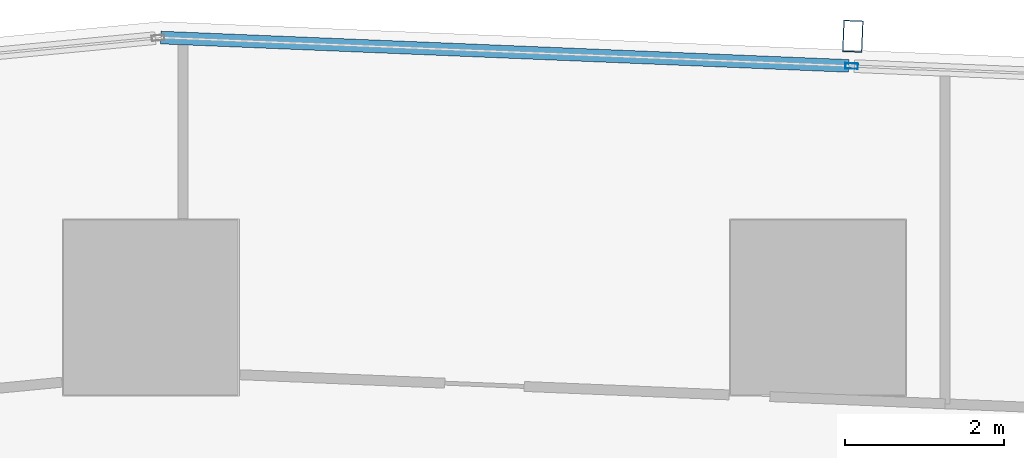
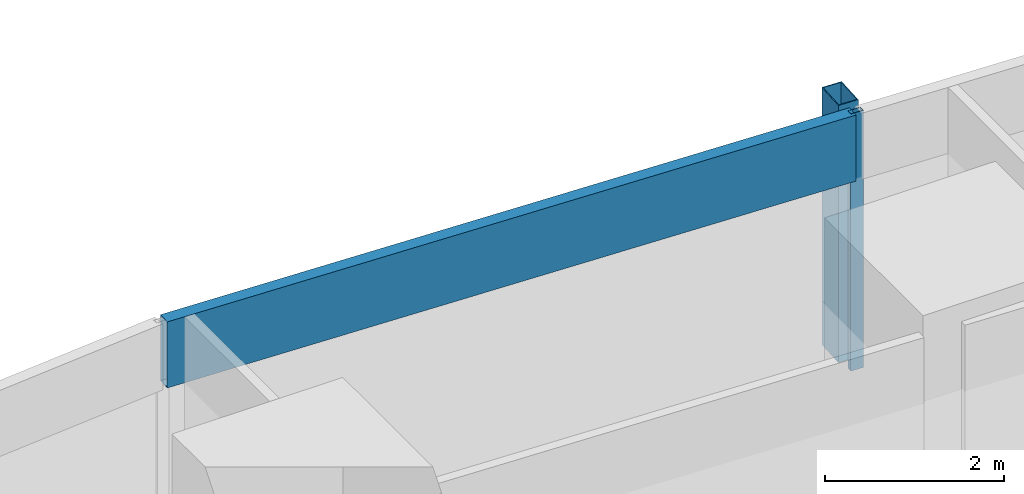
# One storey, part 18 of 42: 3 members, 1 element without a shape of its own.
"""IFC4 building model written with IfcOpenShell, lengths in metres."""

from ifc_helpers import new_model, si_unit, direction, frame, origin, origin_2d, place, context, subcontext, project, spatial, hollow_rectangle, extrude, material, material_profile, profile_set, type_object, element, aggregate, save


model = new_model("IFC4")

# Units and contexts
model_context = context("Model", 3, precision=1e-05, world=origin(), true_north=direction((0.0, 1.0)))
body_context = subcontext(model_context, "Body", "Model", "MODEL_VIEW")
ifc_project = project(units=[si_unit("LENGTHUNIT", "METRE"), si_unit("AREAUNIT", "SQUARE_METRE"), si_unit("VOLUMEUNIT", "CUBIC_METRE"), si_unit("PLANEANGLEUNIT", "RADIAN"), si_unit("MASSUNIT", "GRAM", prefix="KILO")], contexts=[model_context])

# Site, building, storey
site_placement = place(None, origin())
site = spatial("IfcSite", under=ifc_project, at=site_placement, CompositionType="ELEMENT")
building_placement = place(site_placement, origin())
building = spatial("IfcBuilding", under=site, at=building_placement, Name="Rekha Terrace Tower", CompositionType="ELEMENT")
storey_placement = place(building_placement, frame((0.0, 0.0, 40.39990234375)))
storey = spatial("IfcBuildingStorey", under=building, at=storey_placement, Name="L09", CompositionType="ELEMENT", Elevation=40.39990234375)

# Curtain wall, members
ifc_material_1 = material(Name="Aluminium framing", Category="aluminium")
curtain_wall_type = type_object("IfcCurtainWallType", Name="CW3 north unitised glazing", PredefinedType="USERDEFINED", material=ifc_material_1)
curtain_wall_placement = place(storey_placement, origin())
curtain_wall = element("IfcCurtainWall", 1, at=curtain_wall_placement, inside=storey, type_object=curtain_wall_type, Name="CW3 unitised curtain wall", ObjectType="UNITISED CURTAIN WALL", PredefinedType="USERDEFINED")
ifc_material_2 = material(Name="Steel S355 with fluorocarbon finish", Category="steel")
ifc_material_profile_1 = material_profile(ifc_material_2, hollow_rectangle(XDim=0.25, YDim=0.39990234375, WallThickness=0.012451171875, at=origin_2d()), Name="RHS400x250x12.5")
ifc_profile_set_1 = profile_set([ifc_material_profile_1], Name="Steel S355 with fluorocarbon finish")
member_type_1 = type_object("IfcMemberType", Name="BL1 facade blade RHS 400 x 250", PredefinedType="USERDEFINED", material=ifc_profile_set_1)
member_1_placement = place(storey_placement, frame((34.037353515625, 62.2158203125, 0.0), z_axis=(0.0, 0.0, 1.0), x_axis=(-0.99915196507, 0.041174636562, 0.0)))
member_1 = element("IfcMember", 2, at=member_1_placement, type_object=member_type_1, Name="Facade blade", ObjectType="FACADE BLADE", PredefinedType="USERDEFINED", context=body_context, shape_type="SweptSolid", body=[
    extrude(hollow_rectangle(XDim=0.25, YDim=0.39990234375, WallThickness=0.012451171875, at=origin_2d()), origin(), (0.0, 0.0, 1.0), 3.5),
])
ifc_material_3 = material(Name="Aluminium mullion section", Category="aluminium")
ifc_material_profile_2 = material_profile(ifc_material_3, hollow_rectangle(XDim=0.070068359375, YDim=0.159912109375, WallThickness=0.00390625, at=origin_2d()), Name="AL RHS 70x160")
ifc_profile_set_2 = profile_set([ifc_material_profile_2], Name="Aluminium mullion section")
member_type_2 = type_object("IfcMemberType", Name="CW3 mullion RHS 70 x 160", PredefinedType="MULLION", material=ifc_profile_set_2)
member_2_placement = place(storey_placement, frame((34.02197265625, 61.84130859375, 0.0), z_axis=(0.0, 0.0, 1.0), x_axis=(-0.041173846041, -0.999151997647, 0.0)))
member_2 = element("IfcMember", 3, at=member_2_placement, type_object=member_type_2, Name="CW3 mullion 5", PredefinedType="MULLION", context=body_context, shape_type="SweptSolid", body=[
    extrude(hollow_rectangle(XDim=0.070068359375, YDim=0.159912109375, WallThickness=0.00390625, at=origin_2d()), origin(), (0.0, 0.0, 1.0), 3.5),
])
ifc_material_4 = material(Name="Insulated aluminium spandrel box", Category="aluminium")
ifc_material_profile_3 = material_profile(ifc_material_4, hollow_rectangle(XDim=0.159912109375, YDim=0.89990234375, WallThickness=0.0029296875, at=origin_2d()), Name="AL SPANDREL BOX 160x900")
ifc_profile_set_3 = profile_set([ifc_material_profile_3], Name="Insulated aluminium spandrel box")
member_type_3 = type_object("IfcMemberType", Name="CW3 spandrel transom 160 x 900", PredefinedType="USERDEFINED", material=ifc_profile_set_3)
member_3_placement = place(storey_placement, frame((33.987060546875, 61.8427734375, 3.050048828125), z_axis=(-0.999152004012, 0.04117369158, 0.0), x_axis=(-0.04117369158, -0.999152004012, 0.0)))
member_3 = element("IfcMember", 4, at=member_3_placement, type_object=member_type_3, Name="CW3 spandrel transom 5", ObjectType="TRANSOM", PredefinedType="USERDEFINED", context=body_context, shape_type="SweptSolid", body=[
    extrude(hollow_rectangle(XDim=0.159912109375, YDim=0.89990234375, WallThickness=0.0029296875, at=origin_2d()), origin(), (0.0, 0.0, 1.0), 8.6689453125),
])
aggregate(curtain_wall, [member_2, member_3, member_1])

save(model, "model.ifc")
